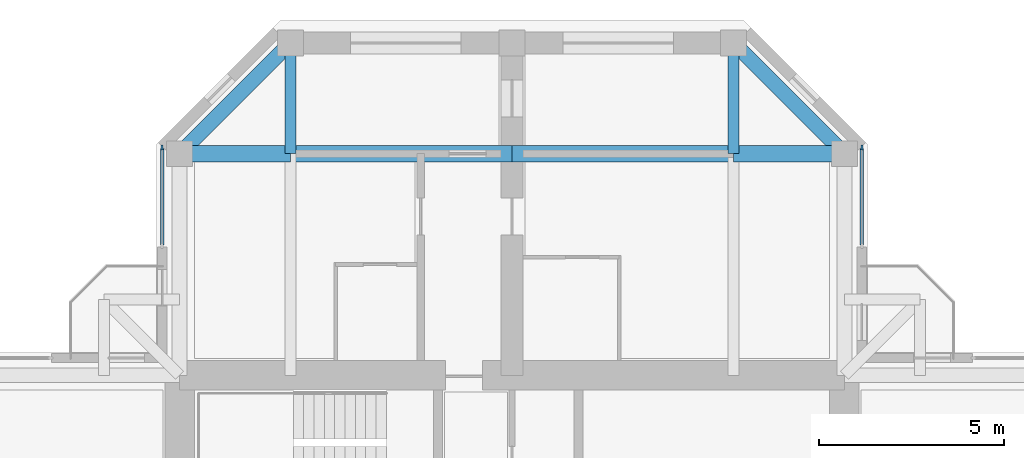
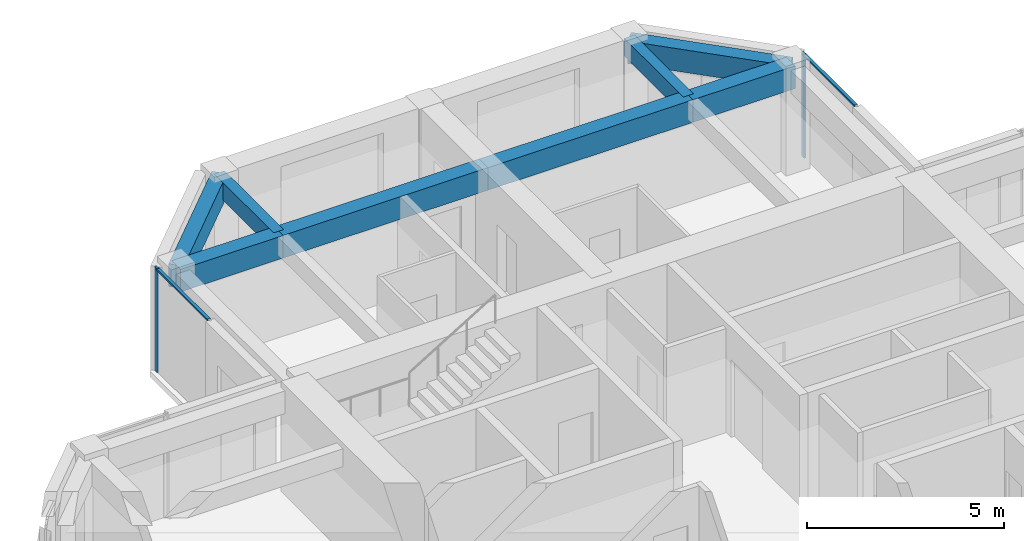
# One storey, part 6 of 13: 8 beams, 4 members, 2 elements without a shape of their own.
"""IFC4 building model written with IfcOpenShell, lengths in metres."""

from ifc_helpers import new_model, si_unit, direction, frame, origin, origin_2d, place, context, subcontext, project, spatial, rectangle, extrude, material, material_profile, profile_set, type_object, element, aggregate, save


model = new_model("IFC4")

# Units and contexts
model_context = context("Model", 3, precision=1e-05, world=origin(), true_north=direction((0.0, 1.0)))
body_context = subcontext(model_context, "Body", "Model", "MODEL_VIEW")
ifc_project = project(units=[si_unit("LENGTHUNIT", "METRE"), si_unit("AREAUNIT", "SQUARE_METRE"), si_unit("VOLUMEUNIT", "CUBIC_METRE"), si_unit("PLANEANGLEUNIT", "RADIAN"), si_unit("MASSUNIT", "GRAM", prefix="KILO")], contexts=[model_context])

# Site, building, storey
site_placement = place(None, origin())
site = spatial("IfcSite", under=ifc_project, at=site_placement, CompositionType="ELEMENT")
building_placement = place(site_placement, origin())
building = spatial("IfcBuilding", under=site, at=building_placement, Name="Torre Cruceta", CompositionType="ELEMENT")
storey_placement = place(building_placement, frame((0.0, 0.0, 274.699951171875)))
storey = spatial("IfcBuildingStorey", under=building, at=storey_placement, Name="L71", CompositionType="ELEMENT", Elevation=274.699951171875)

# Beams
ifc_material_1 = material(Name="Concrete G60 (fck 60 MPa)", Category="concrete")
ifc_material_profile_1 = material_profile(ifc_material_1, rectangle(XDim=0.300048828125, YDim=0.550048828125, at=origin_2d()), Name="RC 300X550")
ifc_profile_set_1 = profile_set([ifc_material_profile_1], Name="Concrete G60 (fck 60 MPa)")
beam_type_1 = type_object("IfcBeamType", Name="COLUMN LINE BEAM RC 300X550", PredefinedType="BEAM", material=ifc_profile_set_1)
for number, where, z_axis, x_axis, name in (
    (1, (6.0, 15.0, 2.945068359375), (0.0, 1.0, 0.0), (-1.0, 0.0, 0.0), "LB10 L71 N col- 2"),
    (2, (-6.0, 15.0, 2.945068359375), (0.0, 1.0, 0.0), (-1.0, 0.0, 0.0), "LB10 L71 N col+ 2"),
):
    element("IfcBeam", number, at=place(storey_placement, frame(where, z_axis=z_axis, x_axis=x_axis)), inside=storey, type_object=beam_type_1, Name=name, PredefinedType="BEAM", context=body_context, shape_type="SweptSolid", body=[
        extrude(rectangle(XDim=0.300048828125, YDim=0.550048828125, at=origin_2d()), origin(), (0.0, 0.0, 1.0), 3.0),
    ])
ifc_material_2 = material(Name="Concrete G60 (fck 60 MPa)", Category="concrete")
ifc_material_profile_2 = material_profile(ifc_material_2, rectangle(XDim=0.449951171875, YDim=0.699951171875, at=origin_2d()), Name="RC 450X700")
ifc_profile_set_2 = profile_set([ifc_material_profile_2], Name="Concrete G60 (fck 60 MPa)")
beam_type_2 = type_object("IfcBeamType", Name="CROSS BEAM RC 450X700", PredefinedType="BEAM", material=ifc_profile_set_2)
beam_1_placement = place(storey_placement, frame((9.0, 15.0, 2.8701171875), z_axis=(-1.0, 0.0, 0.0), x_axis=(0.0, -1.0, 0.0)))
element("IfcBeam", 3, at=beam_1_placement, inside=storey, type_object=beam_type_2, Name="GB8 L71 N cross15 1", PredefinedType="BEAM", context=body_context, shape_type="SweptSolid", body=[
    extrude(rectangle(XDim=0.449951171875, YDim=0.699951171875, at=origin_2d()), origin(), (0.0, 0.0, 1.0), 3.0),
])
for number, where, z_axis, x_axis, name in (
    (4, (6.0, 15.0, 2.8701171875), (-1.0, 0.0, 0.0), (0.0, -1.0, 0.0), "GB8 L71 N cross15 2"),
    (5, (0.0, 15.0, 2.8701171875), (-1.0, 0.0, 0.0), (0.0, -1.0, 0.0), "GB8 L71 N cross15 3"),
):
    element("IfcBeam", number, at=place(storey_placement, frame(where, z_axis=z_axis, x_axis=x_axis)), inside=storey, type_object=beam_type_2, Name=name, PredefinedType="BEAM", context=body_context, shape_type="SweptSolid", body=[
        extrude(rectangle(XDim=0.449951171875, YDim=0.699951171875, at=origin_2d()), origin(), (0.0, 0.0, 1.0), 6.0),
    ])
beam_2_placement = place(storey_placement, frame((-6.0, 15.0, 2.8701171875), z_axis=(-1.0, 0.0, 0.0), x_axis=(0.0, -1.0, 0.0)))
element("IfcBeam", 6, at=beam_2_placement, inside=storey, type_object=beam_type_2, Name="GB8 L71 N cross15 4", PredefinedType="BEAM", context=body_context, shape_type="SweptSolid", body=[
    extrude(rectangle(XDim=0.449951171875, YDim=0.699951171875, at=origin_2d()), origin(), (0.0, 0.0, 1.0), 3.0),
])

# Curtain wall, member
ifc_material_3 = material(Name="Aluminium unitised curtain wall", Category="aluminium")
curtain_wall_type = type_object("IfcCurtainWallType", Name="CURTAIN WALL CW-E CO-LIVING TOP", PredefinedType="USERDEFINED", material=ifc_material_3)
curtain_wall_1_placement = place(storey_placement, origin())
curtain_wall_1 = element("IfcCurtainWall", 7, at=curtain_wall_1_placement, inside=storey, type_object=curtain_wall_type, Name="CW-E L71 N side 05", ObjectType="UNITISED", PredefinedType="USERDEFINED")
ifc_material_4 = material(Name="Aluminium mullion", Category="aluminium")
ifc_material_profile_3 = material_profile(ifc_material_4, rectangle(XDim=0.054931640625, YDim=0.139892578125, at=origin_2d()), Name="AL 55X140")
ifc_profile_set_3 = profile_set([ifc_material_profile_3], Name="Aluminium mullion")
member_type_1 = type_object("IfcMemberType", Name="CW-E MULLION 55X140", PredefinedType="MULLION", material=ifc_profile_set_3)
member_1_placement = place(storey_placement, frame((9.469970703125, 15.167236328125, 0.0), z_axis=(0.0, 0.0, 1.0), x_axis=(-1.0, 0.0, 0.0)))
member_1 = element("IfcMember", 8, at=member_1_placement, type_object=member_type_1, Name="CW-E mullion 2", PredefinedType="MULLION", context=body_context, shape_type="SweptSolid", body=[
    extrude(rectangle(XDim=0.054931640625, YDim=0.139892578125, at=origin_2d()), origin(), (0.0, 0.0, 1.0), 3.219970703125),
])

curtain_wall_2_placement = place(storey_placement, origin())
curtain_wall_2 = element("IfcCurtainWall", 9, at=curtain_wall_2_placement, inside=storey, type_object=curtain_wall_type, Name="CW-E L71 N side 09", ObjectType="UNITISED", PredefinedType="USERDEFINED")
member_2_placement = place(storey_placement, frame((-9.469970703125, 15.167236328125, 0.0), z_axis=(0.0, 0.0, 1.0), x_axis=(1.0, 0.0, 0.0)))
member_2 = element("IfcMember", 10, at=member_2_placement, type_object=member_type_1, Name="CW-E mullion 1", PredefinedType="MULLION", context=body_context, shape_type="SweptSolid", body=[
    extrude(rectangle(XDim=0.054931640625, YDim=0.139892578125, at=origin_2d()), origin(), (0.0, 0.0, 1.0), 3.219970703125),
])

# Member
ifc_material_5 = material(Name="Aluminium transom", Category="aluminium")
ifc_material_profile_4 = material_profile(ifc_material_5, rectangle(XDim=0.090087890625, YDim=0.054931640625, at=origin_2d()), Name="AL 90X55")
ifc_profile_set_4 = profile_set([ifc_material_profile_4], Name="Aluminium transom")
member_type_2 = type_object("IfcMemberType", Name="CW-E TRANSOM 55X90", PredefinedType="USERDEFINED", material=ifc_profile_set_4)
member_3_placement = place(storey_placement, frame((9.469970703125, 12.52490234375, 3.192626953125), z_axis=(0.0, 1.0, 0.0), x_axis=(-1.0, 0.0, 0.0)))
member_3 = element("IfcMember", 11, at=member_3_placement, type_object=member_type_2, Name="CW-E transom 1", ObjectType="TRANSOM", PredefinedType="USERDEFINED", context=body_context, shape_type="SweptSolid", body=[
    extrude(rectangle(XDim=0.090087890625, YDim=0.054931640625, at=origin_2d()), origin(), (0.0, 0.0, 1.0), 2.61474609375),
])

aggregate(curtain_wall_1, [member_1, member_3])

member_4_placement = place(storey_placement, frame((-9.469970703125, 15.1396484375, 3.192626953125), z_axis=(0.0, -1.0, 0.0), x_axis=(1.0, 0.0, 0.0)))
member_4 = element("IfcMember", 12, at=member_4_placement, type_object=member_type_2, Name="CW-E transom 1", ObjectType="TRANSOM", PredefinedType="USERDEFINED", context=body_context, shape_type="SweptSolid", body=[
    extrude(rectangle(XDim=0.090087890625, YDim=0.054931640625, at=origin_2d()), origin(), (0.0, 0.0, 1.0), 2.61474609375),
])

aggregate(curtain_wall_2, [member_2, member_4])

# Beams
ifc_material_6 = material(Name="Concrete G60 (fck 60 MPa)", Category="concrete")
ifc_material_profile_5 = material_profile(ifc_material_6, rectangle(XDim=0.39990234375, YDim=0.699951171875, at=origin_2d()), Name="RC 400X700")
ifc_profile_set_5 = profile_set([ifc_material_profile_5], Name="Concrete G60 (fck 60 MPa)")
beam_type_3 = type_object("IfcBeamType", Name="SPANDREL BEAM RC 400X700", PredefinedType="SPANDREL", material=ifc_profile_set_5)
for number, where, z_axis, x_axis, name in (
    (13, (9.0, 15.0, 2.8701171875), (-0.707106781187, 0.707106781187, 0.0), (-0.707106781187, -0.707106781187, 0.0), "SB8 L71 N side- 2"),
    (14, (-9.0, 15.0, 2.8701171875), (0.707106781187, 0.707106781187, 0.0), (-0.707106781187, 0.707106781187, 0.0), "SB8 L71 N side+ 2"),
):
    element("IfcBeam", number, at=place(storey_placement, frame(where, z_axis=z_axis, x_axis=x_axis)), inside=storey, type_object=beam_type_3, Name=name, PredefinedType="SPANDREL", context=body_context, shape_type="SweptSolid", body=[
        extrude(rectangle(XDim=0.39990234375, YDim=0.699951171875, at=origin_2d()), origin(), (0.0, 0.0, 1.0), 4.24267578125),
    ])

save(model, "model.ifc")
